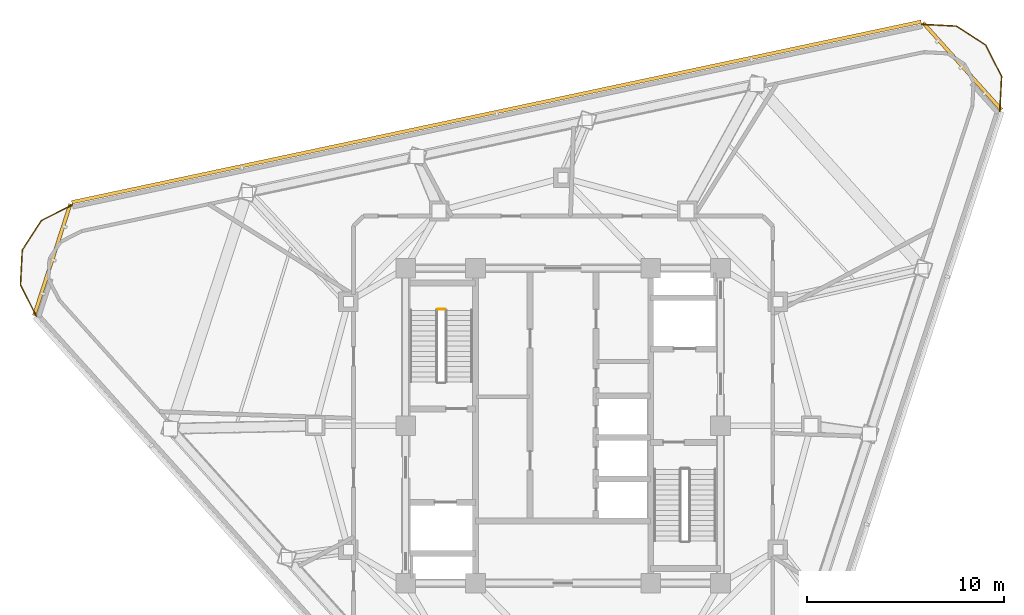
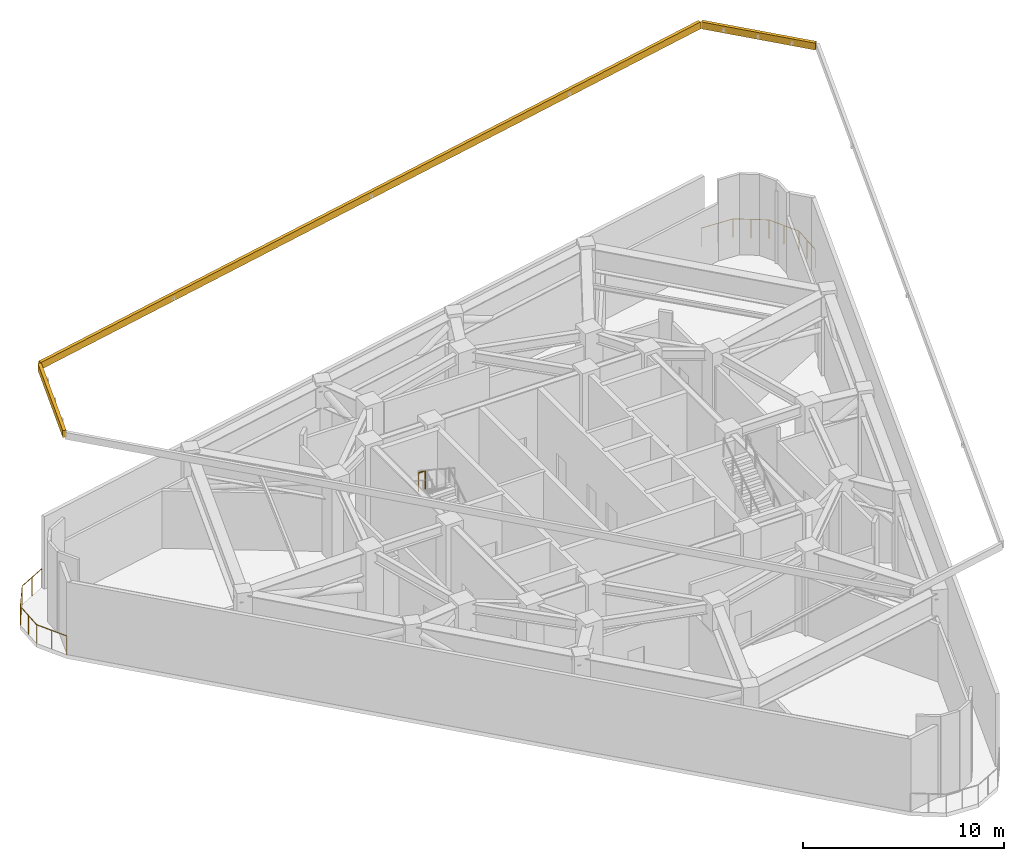
# One storey, part 10 of 10: 3 railings, 3 shading devices.
"""IFC4 building model written with IfcOpenShell, lengths in metres."""

import ifcopenshell
import ifcopenshell.guid

model = None  # the IFC model being written
_history = None  # IfcOwnerHistory: only IFC2X3 demands one
_inside = {}  # id of a spatial element -> (the spatial element, [elements in it])
_under = {}  # id of a project, library or spatial element -> (it, [spatial elements below it])
_declared = {}  # id of a project -> (the project, [libraries it declares])
_typed = {}  # id of a type object -> (the type object, [elements of that type])
_made_of = {}  # id of a material, layer set ... -> (it, [elements and type objects made of it])


def new_model(schema):
    """Start an empty IFC model of exactly this schema.

    Asked for "IFC4X3", IfcOpenShell would pick the latest addendum, in which some entities
    have other attributes; the version numbers below select the first issue.
    IFC2X3 requires an IfcOwnerHistory on every rooted entity: one is made here for all.
    """
    global model, _history
    if schema == "IFC4X3":
        model = ifcopenshell.file(schema_version=(4, 3, 0, 0))
    else:
        model = ifcopenshell.file(schema=schema)
    _inside.clear()
    _under.clear()
    _declared.clear()
    _typed.clear()
    _made_of.clear()
    _history = None
    if model.schema == "IFC2X3":
        org = make("IfcOrganization", Name="unknown")
        user = make(
            "IfcPersonAndOrganization",
            ThePerson=make("IfcPerson", FamilyName="unknown"),
            TheOrganization=org,
        )
        app = make(
            "IfcApplication",
            ApplicationDeveloper=org,
            Version="unknown",
            ApplicationFullName="unknown",
            ApplicationIdentifier="unknown",
        )
        _history = make(
            "IfcOwnerHistory",
            OwningUser=user,
            OwningApplication=app,
            ChangeAction="ADDED",
            CreationDate=0,
        )
    return model


def make(cls, **values):
    """One entity of the class cls with the attributes given. An attribute that is None is left unset."""
    return model.create_entity(
        cls, **{name: value for name, value in values.items() if value is not None}
    )


def rooted(cls, **values):
    """An entity with a GlobalId (a new one), such as an element, a storey or a relation."""
    return make(cls, GlobalId=ifcopenshell.guid.new(), OwnerHistory=_history, **values)


def si_unit(unit_type, name, prefix=None):
    """IfcSIUnit, for example si_unit("LENGTHUNIT", "METRE", prefix="MILLI")."""
    return make("IfcSIUnit", UnitType=unit_type, Prefix=prefix, Name=name)


def assignment(units):
    """IfcUnitAssignment: the units of a project."""
    return None if units is None else make("IfcUnitAssignment", Units=units)


def point(xyz):
    """IfcCartesianPoint."""
    return None if xyz is None else make("IfcCartesianPoint", Coordinates=xyz)


def direction(xyz):
    """IfcDirection."""
    return None if xyz is None else make("IfcDirection", DirectionRatios=xyz)


def frame(location, z_axis=None, x_axis=None):
    """IfcAxis2Placement3D, a coordinate frame: its origin and axes. An axis left out is left unset."""
    return make(
        "IfcAxis2Placement3D",
        Location=point(location),
        Axis=direction(z_axis),
        RefDirection=direction(x_axis),
    )


def frame_2d(location, x_axis=None):
    """IfcAxis2Placement2D, a coordinate frame in the plane: its origin and x axis."""
    return make(
        "IfcAxis2Placement2D", Location=point(location), RefDirection=direction(x_axis)
    )


def origin():
    """The frame at (0, 0, 0) with its axes left unset."""
    return frame((0.0, 0.0, 0.0))


def origin_2d():
    """The frame at (0, 0) in the plane with its x axis left unset."""
    return frame_2d((0.0, 0.0))


def place(relative_to, where):
    """IfcLocalPlacement: puts the frame where relative to a parent placement (None: the world)."""
    return make(
        "IfcLocalPlacement", PlacementRelTo=relative_to, RelativePlacement=where
    )


def context(
    kind, dimensions, precision=None, world=None, true_north=None, identifier=None
):
    """IfcGeometricRepresentationContext, for example the 3D "Model" context."""
    return make(
        "IfcGeometricRepresentationContext",
        ContextIdentifier=identifier,
        ContextType=kind,
        CoordinateSpaceDimension=dimensions,
        Precision=precision,
        WorldCoordinateSystem=world,
        TrueNorth=true_north,
    )


def subcontext(parent, identifier, kind, view, scale=None):
    """IfcGeometricRepresentationSubContext, for example "Body" below "Model"."""
    return make(
        "IfcGeometricRepresentationSubContext",
        ContextIdentifier=identifier,
        ContextType=kind,
        ParentContext=parent,
        TargetScale=scale,
        TargetView=view,
    )


def project(units=None, contexts=None):
    """IfcProject with its units and contexts."""
    return rooted(
        "IfcProject",
        Name="project",
        RepresentationContexts=contexts,
        UnitsInContext=assignment(units),
    )


def spatial(cls, under=None, at=None, **own):
    """A site, building, storey or space (cls), placed at a placement, below another one or the project."""
    s = rooted(cls, ObjectPlacement=at, **own)
    if under is not None:
        _under.setdefault(under.id(), (under, []))[1].append(s)
    return s


def profile(cls, at=None, kind="AREA", **sizes):
    """A parametric profile (cls). Its sizes go by their IFC names, for example OverallWidth=200.0."""
    return make(cls, ProfileType=kind, Position=at, **sizes)


def rectangle(**sizes):
    """IfcRectangleProfileDef."""
    return profile("IfcRectangleProfileDef", **sizes)


def circle(**sizes):
    """IfcCircleProfileDef."""
    return profile("IfcCircleProfileDef", **sizes)


def extrude(swept, where, along, depth):
    """IfcExtrudedAreaSolid: the profile swept, set in the frame where, extruded along a direction by depth."""
    return make(
        "IfcExtrudedAreaSolid",
        SweptArea=swept,
        Position=where,
        ExtrudedDirection=direction(along),
        Depth=depth,
    )


def shape(context_of_items, identifier, shape_type, items):
    """IfcShapeRepresentation: the items that make up one representation, for example the "Body"."""
    return make(
        "IfcShapeRepresentation",
        ContextOfItems=context_of_items,
        RepresentationIdentifier=identifier,
        RepresentationType=shape_type,
        Items=items,
    )


def material(Name=None, Category=None):
    """IfcMaterial."""
    return make("IfcMaterial", Name=Name, Category=Category)


def layer(
    of_material, thickness, ventilated=None, Name=None, Category=None, Priority=None
):
    """IfcMaterialLayer: one layer of a wall or slab, of a material (None: an air gap)."""
    return make(
        "IfcMaterialLayer",
        Material=of_material,
        LayerThickness=thickness,
        IsVentilated=ventilated,
        Name=Name,
        Category=Category,
        Priority=Priority,
    )


def layer_set(layers, Name=None):
    """IfcMaterialLayerSet."""
    return make("IfcMaterialLayerSet", MaterialLayers=layers, LayerSetName=Name)


def made_of(thing, what):
    """Note that an element or type object is made of a material, layer set ...; save() writes the relation."""
    if what is not None:
        _made_of.setdefault(what.id(), (what, []))[1].append(thing)
    return thing


def type_object(cls, material=None, **own):
    """A type object (cls), such as IfcWallType, which elements share."""
    return made_of(rooted(cls, **own), material)


def element(
    cls,
    number,
    at=None,
    inside=None,
    cuts=None,
    type_object=None,
    material=None,
    context=None,
    identifier="Body",
    shape_type=None,
    held_by="IfcProductDefinitionShape",
    body=None,
    shapes=None,
    **own,
):
    """One element of the class cls, such as IfcWall. Its Tag is "e" and its number.

    at: its placement. inside: the storey or other place that contains it. cuts: it is an
    opening in that element (IfcRelVoidsElement). A single representation is given by context,
    identifier, shape_type and body (its items); several are given by shapes. held_by: the class
    of the entity that holds the representations. save() writes the other relations.
    """
    e = rooted(cls, Tag="e%d" % number, ObjectPlacement=at, **own)
    if body is not None:
        shapes = [shape(context, identifier, shape_type, body)]
    if shapes is not None:
        e.Representation = make(held_by, Representations=shapes)
    if inside is not None:
        _inside.setdefault(inside.id(), (inside, []))[1].append(e)
    if cuts is not None:
        rooted(
            "IfcRelVoidsElement", RelatingBuildingElement=cuts, RelatedOpeningElement=e
        )
    if type_object is not None:
        _typed.setdefault(type_object.id(), (type_object, []))[1].append(e)
    return made_of(e, material)


def aggregate(whole, parts):
    """IfcRelAggregates: a whole, such as a stair, and the parts it consists of."""
    return rooted("IfcRelAggregates", RelatingObject=whole, RelatedObjects=parts)


def save(model, path):
    """Write the relations noted so far, then the file.

    IfcRelAggregates (storeys below a building ...), IfcRelContainedInSpatialStructure (elements
    in a storey), IfcRelDefinesByType, IfcRelAssociatesMaterial and IfcRelDeclares: one each for
    every whole, place, type object, material and project.
    """
    for whole, parts in _under.values():
        aggregate(whole, parts)
    for where, things in _inside.values():
        rooted(
            "IfcRelContainedInSpatialStructure",
            RelatedElements=things,
            RelatingStructure=where,
        )
    for kind, things in _typed.values():
        rooted("IfcRelDefinesByType", RelatedObjects=things, RelatingType=kind)
    for what, things in _made_of.values():
        rooted("IfcRelAssociatesMaterial", RelatedObjects=things, RelatingMaterial=what)
    for by, libraries in _declared.values():
        rooted("IfcRelDeclares", RelatingContext=by, RelatedDefinitions=libraries)
    model.write(path)


model = new_model("IFC4")

# Units and contexts
model_context = context("Model", 3, precision=1e-05, world=origin(), true_north=direction((0.0, 1.0)))
body_context = subcontext(model_context, "Body", "Model", "MODEL_VIEW")
ifc_project = project(units=[si_unit("LENGTHUNIT", "METRE"), si_unit("AREAUNIT", "SQUARE_METRE"), si_unit("VOLUMEUNIT", "CUBIC_METRE"), si_unit("PLANEANGLEUNIT", "RADIAN"), si_unit("MASSUNIT", "GRAM", prefix="KILO")], contexts=[model_context])

# Site, building, storey
site_placement = place(None, origin())
site = spatial("IfcSite", under=ifc_project, at=site_placement, CompositionType="ELEMENT")
building_placement = place(site_placement, origin())
building = spatial("IfcBuilding", under=site, at=building_placement, Name="Terralouvre Media Tower", CompositionType="ELEMENT")
storey_placement = place(building_placement, frame((0.0, 0.0, 278.10009765625)))
storey = spatial("IfcBuildingStorey", under=building, at=storey_placement, Name="L72", CompositionType="ELEMENT", Elevation=278.10009765625)

# Shading devices
ifc_material_1 = material(Name="Extruded terracotta baguette sunshade louvres", Category="masonry")
shading_device_type = type_object("IfcShadingDeviceType", Name="Refuge Plant Acoustic Terracotta Louvre Grill TB-LV2", PredefinedType="JALOUSIE", material=ifc_material_1)
shading_device_placement = place(storey_placement, frame((-3.38818359375, 15.940185546875, 13.201904296875), z_axis=(0.0, 0.0, 1.0), x_axis=(-0.978147616145, -0.207911618313, 0.0)))
element("IfcShadingDevice", 1, at=shading_device_placement, inside=storey, type_object=shading_device_type, Name="CW-L72-F1 Refuge Acoustic Terracotta Louvre", PredefinedType="JALOUSIE", context=body_context, shape_type="SweptSolid", body=[
    extrude(rectangle(XDim=44.1201171875, YDim=0.179931640625, at=origin_2d()), origin(), (0.0, 0.0, 1.0), 0.419921875),
])
for number, where, z_axis, x_axis, name in (
    (2, (20.282470703125, 18.262451171875, 13.201904296875), (0.0, 0.0, 1.0), (-0.669130231192, 0.743145163279, 0.0), "CW-L72-C1 Refuge Acoustic Terracotta Louvre"),
    (3, (-25.956787109375, 8.433837890625, 13.201904296875), (0.0, 0.0, 1.0), (-0.30901654693, -0.951056661679, 0.0), "CW-L72-C2 Refuge Acoustic Terracotta Louvre"),
):
    element("IfcShadingDevice", number, at=place(storey_placement, frame(where, z_axis=z_axis, x_axis=x_axis)), inside=storey, type_object=shading_device_type, Name=name, PredefinedType="JALOUSIE", context=body_context, shape_type="SweptSolid", body=[
        extrude(rectangle(XDim=5.958251953125, YDim=0.179931640625, at=origin_2d()), origin(), (0.0, 0.0, 1.0), 0.419921875),
    ])

# Railings
ifc_material_2 = material(Name="Stainless steel 316 handrail and balustrade", Category="steel")
ifc_layer_1 = layer(ifc_material_2, 0.06005859375, Name="Roof Edge Safety Guardrail GR-ROOF1")
ifc_layer_set_1 = layer_set([ifc_layer_1], Name="Stainless steel 316 handrail and balustrade")
railing_type_1 = type_object("IfcRailingType", Name="Roof Edge Safety Guardrail GR-ROOF1", PredefinedType="GUARDRAIL", material=ifc_layer_set_1)
railing_1_placement = place(storey_placement, frame((22.189453125, 15.972900390625, 0.0)))
element("IfcRailing", 4, at=railing_1_placement, inside=storey, type_object=railing_type_1, Name="L72 Wind-Corner Perimeter Safety Guardrail C1", PredefinedType="GUARDRAIL", context=body_context, shape_type="SweptSolid", body=[
    extrude(circle(Radius=0.02099609375, at=origin_2d()), frame((0.0, 0.0, 1.12890625), z_axis=(0.052530038308, 0.998619344433, 0.0), x_axis=(-0.998619344433, 0.052530038308, 0.0)), (0.0, 0.0, 1.0), 1.780029296875),
    extrude(circle(Radius=0.02099609375, at=origin_2d()), frame((0.093505859375, 1.777587890625, 1.12890625), z_axis=(-0.453894958645, 0.891055198356, 0.0), x_axis=(-0.891055198356, -0.453894958645, 0.0)), (0.0, 0.0, 1.0), 1.77978515625),
    extrude(circle(Radius=0.02099609375, at=origin_2d()), frame((-0.71435546875, 3.363525390625, 1.12890625), z_axis=(-0.838763173907, 0.544496407791, 0.0), x_axis=(-0.544496407791, -0.838763173907, 0.0)), (0.0, 0.0, 1.0), 1.779541015625),
    extrude(circle(Radius=0.02099609375, at=origin_2d()), frame((-2.20703125, 4.33251953125, 1.12890625), z_axis=(-0.998641217395, 0.052112560095, 0.0), x_axis=(-0.052112560095, -0.998641217395, 0.0)), (0.0, 0.0, 1.0), 1.7802734375),
    extrude(circle(Radius=0.01904296875, at=origin_2d()), origin(), (0.0, 0.0, 1.0), 1.10791015625),
    extrude(circle(Radius=0.01904296875, at=origin_2d()), frame((0.046875, 0.888671875, 0.0)), (0.0, 0.0, 1.0), 1.10791015625),
    extrude(circle(Radius=0.01904296875, at=origin_2d()), frame((0.093505859375, 1.777587890625, 0.0)), (0.0, 0.0, 1.0), 1.10791015625),
    extrude(circle(Radius=0.01904296875, at=origin_2d()), frame((-0.310546875, 2.570556640625, 0.0)), (0.0, 0.0, 1.0), 1.10791015625),
    extrude(circle(Radius=0.01904296875, at=origin_2d()), frame((-0.71435546875, 3.363525390625, 0.0)), (0.0, 0.0, 1.0), 1.10791015625),
    extrude(circle(Radius=0.01904296875, at=origin_2d()), frame((-1.460693359375, 3.84814453125, 0.0)), (0.0, 0.0, 1.0), 1.10791015625),
    extrude(circle(Radius=0.01904296875, at=origin_2d()), frame((-2.20703125, 4.33251953125, 0.0)), (0.0, 0.0, 1.0), 1.10791015625),
    extrude(circle(Radius=0.01904296875, at=origin_2d()), frame((-3.095947265625, 4.37890625, 0.0)), (0.0, 0.0, 1.0), 1.10791015625),
    extrude(circle(Radius=0.01904296875, at=origin_2d()), frame((-3.98486328125, 4.42529296875, 0.0)), (0.0, 0.0, 1.0), 1.10791015625),
])
railing_2_placement = place(storey_placement, frame((-24.927490234375, 11.230224609375, 0.0)))
element("IfcRailing", 5, at=railing_2_placement, inside=storey, type_object=railing_type_1, Name="L72 Wind-Corner Perimeter Safety Guardrail C2", PredefinedType="GUARDRAIL", context=body_context, shape_type="SweptSolid", body=[
    extrude(circle(Radius=0.02099609375, at=origin_2d()), frame((0.0, 0.0, 1.12890625), z_axis=(-0.891111697267, -0.453784026817, 0.0), x_axis=(0.453784026817, -0.891111697267, 0.0)), (0.0, 0.0, 1.0), 1.7802734375),
    extrude(circle(Radius=0.02099609375, at=origin_2d()), frame((-1.58642578125, -0.807861328125, 1.12890625), z_axis=(-0.544752056661, -0.838597160002, 0.0), x_axis=(0.838597160002, -0.544752056661, 0.0)), (0.0, 0.0, 1.0), 1.77978515625),
    extrude(circle(Radius=0.02099609375, at=origin_2d()), frame((-2.555908203125, -2.30029296875, 1.12890625), z_axis=(-0.052126837836, -0.998640472231, 0.0), x_axis=(0.998640472231, -0.052126837836, 0.0)), (0.0, 0.0, 1.0), 1.77978515625),
    extrude(circle(Radius=0.02099609375, at=origin_2d()), frame((-2.648681640625, -4.07763671875, 1.12890625), z_axis=(0.454221597143, -0.890888736425, 0.0), x_axis=(0.890888736425, 0.454221597143, 0.0)), (0.0, 0.0, 1.0), 1.7802734375),
    extrude(circle(Radius=0.01904296875, at=origin_2d()), origin(), (0.0, 0.0, 1.0), 1.10791015625),
    extrude(circle(Radius=0.01904296875, at=origin_2d()), frame((-0.793212890625, -0.40380859375, 0.0)), (0.0, 0.0, 1.0), 1.10791015625),
    extrude(circle(Radius=0.01904296875, at=origin_2d()), frame((-1.58642578125, -0.807861328125, 0.0)), (0.0, 0.0, 1.0), 1.10791015625),
    extrude(circle(Radius=0.01904296875, at=origin_2d()), frame((-2.0712890625, -1.55419921875, 0.0)), (0.0, 0.0, 1.0), 1.10791015625),
    extrude(circle(Radius=0.01904296875, at=origin_2d()), frame((-2.555908203125, -2.30029296875, 0.0)), (0.0, 0.0, 1.0), 1.10791015625),
    extrude(circle(Radius=0.01904296875, at=origin_2d()), frame((-2.602294921875, -3.18896484375, 0.0)), (0.0, 0.0, 1.0), 1.10791015625),
    extrude(circle(Radius=0.01904296875, at=origin_2d()), frame((-2.648681640625, -4.07763671875, 0.0)), (0.0, 0.0, 1.0), 1.10791015625),
    extrude(circle(Radius=0.01904296875, at=origin_2d()), frame((-2.244384765625, -4.87060546875, 0.0)), (0.0, 0.0, 1.0), 1.10791015625),
    extrude(circle(Radius=0.01904296875, at=origin_2d()), frame((-1.840087890625, -5.66357421875, 0.0)), (0.0, 0.0, 1.0), 1.10791015625),
])
ifc_material_3 = material(Name="Stainless steel 316 handrail and balustrade", Category="steel")
ifc_layer_2 = layer(ifc_material_3, 0.050048828125, Name="Stairwell Safety Guardrail GR-INT1")
ifc_layer_set_2 = layer_set([ifc_layer_2], Name="Stainless steel 316 handrail and balustrade")
railing_type_2 = type_object("IfcRailingType", Name="Stairwell Safety Guardrail GR-INT1", PredefinedType="GUARDRAIL", material=ifc_layer_set_2)
railing_3_placement = place(storey_placement, frame((-6.0, 5.909912109375, 2.5498046875)))
element("IfcRailing", 6, at=railing_3_placement, inside=storey, type_object=railing_type_2, Name="L72 ST-01 stair guard 2", PredefinedType="GUARDRAIL", context=body_context, shape_type="SweptSolid", body=[
    extrude(circle(Radius=0.02392578125, at=origin_2d()), frame((0.0, 0.0, 1.1259765625), z_axis=(-1.0, 0.0, 0.0), x_axis=(0.0, -1.0, 0.0)), (0.0, 0.0, 1.0), 0.3798828125),
    extrude(circle(Radius=0.02099609375, at=origin_2d()), origin(), (0.0, 0.0, 1.0), 1.101806640625),
    extrude(circle(Radius=0.02099609375, at=origin_2d()), frame((-0.3798828125, 0.0, 0.0)), (0.0, 0.0, 1.0), 1.101806640625),
])

save(model, "model.ifc")
